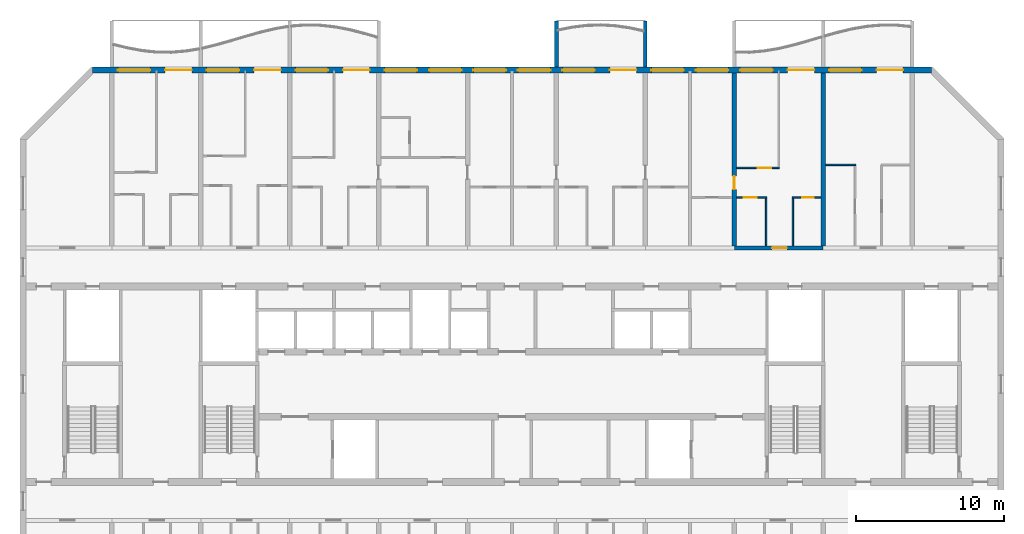
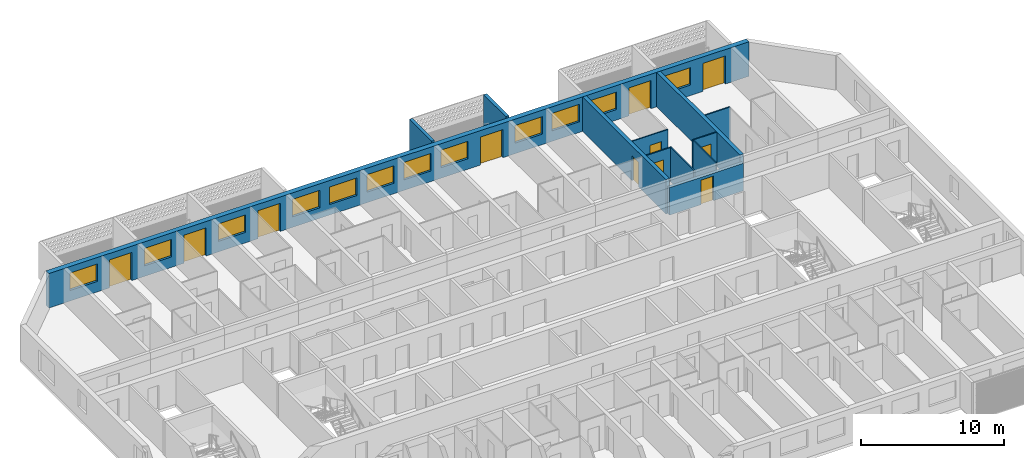
# One storey, part 10 of 26: 12 walls, 12 windows, 11 doors, 23 openings.
"""IFC4 building model written with IfcOpenShell, lengths in metres."""

from ifc_helpers import new_model, si_unit, direction, frame, frame_2d, origin, place, context, subcontext, project, spatial, polyline, rectangle, outline, extrude, source, transform, mapped, material, layer, layer_set, type_object, element, fill, save


model = new_model("IFC4")

# Units and contexts
model_context = context("Model", 3, precision=1e-05, world=origin(), true_north=direction((0.0, 1.0)))
body_context = subcontext(model_context, "Body", "Model", "MODEL_VIEW")
ifc_project = project(units=[si_unit("LENGTHUNIT", "METRE"), si_unit("AREAUNIT", "SQUARE_METRE"), si_unit("VOLUMEUNIT", "CUBIC_METRE"), si_unit("PLANEANGLEUNIT", "RADIAN"), si_unit("MASSUNIT", "GRAM", prefix="KILO")], contexts=[model_context])

# Site, building, storey
site_placement = place(None, origin())
site = spatial("IfcSite", under=ifc_project, at=site_placement, CompositionType="ELEMENT")
building_placement = place(site_placement, origin())
building = spatial("IfcBuilding", under=site, at=building_placement, Name="Poui Terraces", CompositionType="ELEMENT")
storey_placement = place(building_placement, frame((0.0, 0.0, 162.0)))
storey = spatial("IfcBuildingStorey", under=building, at=storey_placement, Name="L45", CompositionType="ELEMENT", Elevation=162.0)

# Wall, opening, door
ifc_material_1 = material(Name="Concrete 65 MPa", Category="concrete")
ifc_layer_1 = layer(ifc_material_1, 0.25)
ifc_layer_set_1 = layer_set([ifc_layer_1], Name="Concrete 65 MPa")
wall_type_1 = type_object("IfcWallType", Name="CORRIDOR WALL 250 65MPa", PredefinedType="SHEAR", material=ifc_layer_set_1)
wall_1_placement = place(storey_placement, frame((66.0, 30.39990234375, 0.0), z_axis=(0.0, 0.0, 1.0), x_axis=(1.0, 0.0, 0.0)))
wall_1 = element("IfcWall", 1, at=wall_1_placement, inside=storey, type_object=wall_type_1, Name="CORRIDOR WALL LINE E BAY 9", PredefinedType="SHEAR", context=body_context, shape_type="SweptSolid", body=[
    extrude(rectangle(XDim=6.0, YDim=0.25, at=frame_2d((3.0, 0.0))), origin(), (0.0, 0.0, 1.0), 2.35009765625),
])
opening_1_placement = place(wall_1_placement, frame((2.550048828125, 0.0, 0.0)))
opening_1 = element("IfcOpeningElement", 2, at=opening_1_placement, cuts=wall_1, Name="Opening FD30S", PredefinedType="OPENING", context=body_context, shape_type="SweptSolid", body=[
    extrude(rectangle(XDim=1.0, YDim=2.10009765625, at=frame_2d((0.5, 1.050048828125))), frame((0.0, 0.135009765625, 0.0), z_axis=(0.0, -1.0, 0.0), x_axis=(1.0, 0.0, 0.0)), (0.0, 0.0, 1.0), 0.27001953125),
])
ifc_material_2 = material(Name="Steel fire door", Category="steel")
door_type_1 = type_object("IfcDoorType", Name="FLAT ENTRANCE DOOR 1000 X 2100", OperationType="NOTDEFINED", PredefinedType="DOOR", material=ifc_material_2)
door_1_placement = place(opening_1_placement, origin())
door_1 = element("IfcDoor", 3, at=door_1_placement, inside=storey, type_object=door_type_1, Name="FLAT ENTRANCE DOOR 054", OperationType="SINGLE_SWING_RIGHT", OverallHeight=2.10009765625, OverallWidth=1.0, PredefinedType="DOOR", context=body_context, shape_type="SweptSolid", body=[
    extrude(rectangle(XDim=1.0, YDim=2.10009765625, at=frame_2d((0.5, 1.050048828125))), frame((0.0, 0.02490234375, 0.0), z_axis=(0.0, -1.0, 0.0), x_axis=(1.0, 0.0, 0.0)), (0.0, 0.0, 1.0), 0.050048828125),
])
fill(opening_1, door_1)

ifc_layer_2 = layer(ifc_material_1, 0.300048828125)
ifc_layer_set_2 = layer_set([ifc_layer_2], Name="Concrete 65 MPa")
wall_type_2 = type_object("IfcWallType", Name="CROSS WALL 300 65MPa", PredefinedType="SHEAR", material=ifc_layer_set_2)
wall_2_placement = place(storey_placement, frame((66.0, 30.52490234375, 0.0), z_axis=(0.0, 0.0, 1.0), x_axis=(0.0, 1.0, 0.0)))
wall_2 = element("IfcWall", 4, at=wall_2_placement, inside=storey, type_object=wall_type_2, Name="CROSS WALL LINE 12 NORTH", PredefinedType="SHEAR", context=body_context, shape_type="SweptSolid", body=[
    extrude(rectangle(XDim=11.675048828125, YDim=0.300048828125, at=frame_2d((5.83740234375, 0.0))), origin(), (0.0, 0.0, 1.0), 2.949951171875),
])
opening_2_placement = place(wall_2_placement, frame((3.824951171875, 0.0, 0.0)))
opening_2 = element("IfcOpeningElement", 5, at=opening_2_placement, cuts=wall_2, Name="Opening D90", PredefinedType="OPENING", context=body_context, shape_type="SweptSolid", body=[
    extrude(rectangle(XDim=0.89990234375, YDim=2.10009765625, at=frame_2d((0.449951171875, 1.050048828125))), frame((0.0, 0.16015625, 0.0), z_axis=(0.0, -1.0, 0.0), x_axis=(1.0, 0.0, 0.0)), (0.0, 0.0, 1.0), 0.320068359375),
])
ifc_material_3 = material(Name="Solid core timber door", Category="wood")
door_type_2 = type_object("IfcDoorType", Name="INTERNAL DOOR 900 X 2100", OperationType="NOTDEFINED", PredefinedType="DOOR", material=ifc_material_3)
door_2_placement = place(opening_2_placement, origin())
door_2 = element("IfcDoor", 6, at=door_2_placement, inside=storey, type_object=door_type_2, Name="INTERNAL DOOR 051", OperationType="SINGLE_SWING_LEFT", OverallHeight=2.10009765625, OverallWidth=0.89990234375, PredefinedType="DOOR", context=body_context, shape_type="SweptSolid", body=[
    extrude(rectangle(XDim=0.89990234375, YDim=2.10009765625, at=frame_2d((0.449951171875, 1.050048828125))), frame((0.0, 0.02490234375, 0.0), z_axis=(0.0, -1.0, 0.0), x_axis=(1.0, 0.0, 0.0)), (0.0, 0.0, 1.0), 0.050048828125),
])
fill(opening_2, door_2)

# Wall
wall_3_placement = place(storey_placement, frame((72.0, 30.52490234375, 0.0), z_axis=(0.0, 0.0, 1.0), x_axis=(0.0, 1.0, 0.0)))
element("IfcWall", 7, at=wall_3_placement, inside=storey, type_object=wall_type_2, Name="CROSS WALL LINE 13 NORTH", PredefinedType="SHEAR", context=body_context, shape_type="SweptSolid", body=[
    extrude(rectangle(XDim=11.675048828125, YDim=0.300048828125, at=frame_2d((5.83740234375, 0.0))), origin(), (0.0, 0.0, 1.0), 2.949951171875),
])

# Wall, openings, doors, windows
ifc_material_4 = material(Name="Precast concrete 40 MPa", Category="concrete")
ifc_layer_3 = layer(ifc_material_4, 0.39990234375)
ifc_layer_set_3 = layer_set([ifc_layer_3], Name="Precast concrete 40 MPa")
wall_type_3 = type_object("IfcWallType", Name="EXTERNAL WALL 400", PredefinedType="STANDARD", material=ifc_layer_set_3)
wall_4_placement = place(storey_placement, frame((79.317138671875, 42.39990234375, 0.0), z_axis=(0.0, 0.0, 1.0), x_axis=(-1.0, 0.0, 0.0)))
wall_4 = element("IfcWall", 8, at=wall_4_placement, inside=storey, type_object=wall_type_3, Name="EXTERNAL WALL N", PredefinedType="STANDARD", context=body_context, shape_type="SweptSolid", body=[
    extrude(rectangle(XDim=56.63427734375, YDim=0.39990234375, at=frame_2d((28.317138671875, 0.0))), origin(), (0.0, 0.0, 1.0), 2.949951171875),
])
opening_3_placement = place(wall_4_placement, frame((52.71728515625, 0.0, 0.89990234375)))
opening_3 = element("IfcOpeningElement", 9, at=opening_3_placement, cuts=wall_4, Name="Opening W1", PredefinedType="OPENING", context=body_context, shape_type="SweptSolid", body=[
    extrude(rectangle(XDim=2.199951171875, YDim=1.5, at=frame_2d((1.10009765625, 0.75))), frame((0.0, 0.2099609375, 0.0), z_axis=(0.0, -1.0, 0.0), x_axis=(1.0, 0.0, 0.0)), (0.0, 0.0, 1.0), 0.419921875),
])
opening_4_placement = place(wall_4_placement, frame((49.917236328125, 0.0, 0.0)))
opening_4 = element("IfcOpeningElement", 10, at=opening_4_placement, cuts=wall_4, Name="Opening BD1", PredefinedType="OPENING", context=body_context, shape_type="SweptSolid", body=[
    extrude(rectangle(XDim=1.800048828125, YDim=2.39990234375, at=frame_2d((0.89990234375, 1.199951171875))), frame((0.0, 0.2099609375, 0.0), z_axis=(0.0, -1.0, 0.0), x_axis=(1.0, 0.0, 0.0)), (0.0, 0.0, 1.0), 0.419921875),
])
opening_5_placement = place(wall_4_placement, frame((46.71728515625, 0.0, 0.89990234375)))
opening_5 = element("IfcOpeningElement", 11, at=opening_5_placement, cuts=wall_4, Name="Opening W1", PredefinedType="OPENING", context=body_context, shape_type="SweptSolid", body=[
    extrude(rectangle(XDim=2.199951171875, YDim=1.5, at=frame_2d((1.10009765625, 0.75))), frame((0.0, 0.2099609375, 0.0), z_axis=(0.0, -1.0, 0.0), x_axis=(1.0, 0.0, 0.0)), (0.0, 0.0, 1.0), 0.419921875),
])
opening_6_placement = place(wall_4_placement, frame((43.917236328125, 0.0, 0.0)))
opening_6 = element("IfcOpeningElement", 12, at=opening_6_placement, cuts=wall_4, Name="Opening BD1", PredefinedType="OPENING", context=body_context, shape_type="SweptSolid", body=[
    extrude(rectangle(XDim=1.800048828125, YDim=2.39990234375, at=frame_2d((0.89990234375, 1.199951171875))), frame((0.0, 0.2099609375, 0.0), z_axis=(0.0, -1.0, 0.0), x_axis=(1.0, 0.0, 0.0)), (0.0, 0.0, 1.0), 0.419921875),
])
opening_7_placement = place(wall_4_placement, frame((40.71728515625, 0.0, 0.89990234375)))
opening_7 = element("IfcOpeningElement", 13, at=opening_7_placement, cuts=wall_4, Name="Opening W1", PredefinedType="OPENING", context=body_context, shape_type="SweptSolid", body=[
    extrude(rectangle(XDim=2.199951171875, YDim=1.5, at=frame_2d((1.10009765625, 0.75))), frame((0.0, 0.2099609375, 0.0), z_axis=(0.0, -1.0, 0.0), x_axis=(1.0, 0.0, 0.0)), (0.0, 0.0, 1.0), 0.419921875),
])
opening_8_placement = place(wall_4_placement, frame((37.917236328125, 0.0, 0.0)))
opening_8 = element("IfcOpeningElement", 14, at=opening_8_placement, cuts=wall_4, Name="Opening BD1", PredefinedType="OPENING", context=body_context, shape_type="SweptSolid", body=[
    extrude(rectangle(XDim=1.800048828125, YDim=2.39990234375, at=frame_2d((0.89990234375, 1.199951171875))), frame((0.0, 0.2099609375, 0.0), z_axis=(0.0, -1.0, 0.0), x_axis=(1.0, 0.0, 0.0)), (0.0, 0.0, 1.0), 0.419921875),
])
opening_9_placement = place(wall_4_placement, frame((34.71728515625, 0.0, 0.89990234375)))
opening_9 = element("IfcOpeningElement", 15, at=opening_9_placement, cuts=wall_4, Name="Opening W1", PredefinedType="OPENING", context=body_context, shape_type="SweptSolid", body=[
    extrude(rectangle(XDim=2.199951171875, YDim=1.5, at=frame_2d((1.10009765625, 0.75))), frame((0.0, 0.2099609375, 0.0), z_axis=(0.0, -1.0, 0.0), x_axis=(1.0, 0.0, 0.0)), (0.0, 0.0, 1.0), 0.419921875),
])
opening_10_placement = place(wall_4_placement, frame((31.71728515625, 0.0, 0.89990234375)))
opening_10 = element("IfcOpeningElement", 16, at=opening_10_placement, cuts=wall_4, Name="Opening W1", PredefinedType="OPENING", context=body_context, shape_type="SweptSolid", body=[
    extrude(rectangle(XDim=2.199951171875, YDim=1.5, at=frame_2d((1.10009765625, 0.75))), frame((0.0, 0.2099609375, 0.0), z_axis=(0.0, -1.0, 0.0), x_axis=(1.0, 0.0, 0.0)), (0.0, 0.0, 1.0), 0.419921875),
])
opening_11_placement = place(wall_4_placement, frame((28.71728515625, 0.0, 0.89990234375)))
opening_11 = element("IfcOpeningElement", 17, at=opening_11_placement, cuts=wall_4, Name="Opening W1", PredefinedType="OPENING", context=body_context, shape_type="SweptSolid", body=[
    extrude(rectangle(XDim=2.199951171875, YDim=1.5, at=frame_2d((1.10009765625, 0.75))), frame((0.0, 0.2099609375, 0.0), z_axis=(0.0, -1.0, 0.0), x_axis=(1.0, 0.0, 0.0)), (0.0, 0.0, 1.0), 0.419921875),
])
opening_12_placement = place(wall_4_placement, frame((25.71728515625, 0.0, 0.89990234375)))
opening_12 = element("IfcOpeningElement", 18, at=opening_12_placement, cuts=wall_4, Name="Opening W1", PredefinedType="OPENING", context=body_context, shape_type="SweptSolid", body=[
    extrude(rectangle(XDim=2.199951171875, YDim=1.5, at=frame_2d((1.10009765625, 0.75))), frame((0.0, 0.2099609375, 0.0), z_axis=(0.0, -1.0, 0.0), x_axis=(1.0, 0.0, 0.0)), (0.0, 0.0, 1.0), 0.419921875),
])
opening_13_placement = place(wall_4_placement, frame((22.71728515625, 0.0, 0.89990234375)))
opening_13 = element("IfcOpeningElement", 19, at=opening_13_placement, cuts=wall_4, Name="Opening W1", PredefinedType="OPENING", context=body_context, shape_type="SweptSolid", body=[
    extrude(rectangle(XDim=2.199951171875, YDim=1.5, at=frame_2d((1.10009765625, 0.75))), frame((0.0, 0.2099609375, 0.0), z_axis=(0.0, -1.0, 0.0), x_axis=(1.0, 0.0, 0.0)), (0.0, 0.0, 1.0), 0.419921875),
])
opening_14_placement = place(wall_4_placement, frame((19.917236328125, 0.0, 0.0)))
opening_14 = element("IfcOpeningElement", 20, at=opening_14_placement, cuts=wall_4, Name="Opening BD1", PredefinedType="OPENING", context=body_context, shape_type="SweptSolid", body=[
    extrude(rectangle(XDim=1.800048828125, YDim=2.39990234375, at=frame_2d((0.89990234375, 1.199951171875))), frame((0.0, 0.2099609375, 0.0), z_axis=(0.0, -1.0, 0.0), x_axis=(1.0, 0.0, 0.0)), (0.0, 0.0, 1.0), 0.419921875),
])
opening_15_placement = place(wall_4_placement, frame((16.71728515625, 0.0, 0.89990234375)))
opening_15 = element("IfcOpeningElement", 21, at=opening_15_placement, cuts=wall_4, Name="Opening W1", PredefinedType="OPENING", context=body_context, shape_type="SweptSolid", body=[
    extrude(rectangle(XDim=2.199951171875, YDim=1.5, at=frame_2d((1.10009765625, 0.75))), frame((0.0, 0.2099609375, 0.0), z_axis=(0.0, -1.0, 0.0), x_axis=(1.0, 0.0, 0.0)), (0.0, 0.0, 1.0), 0.419921875),
])
opening_16_placement = place(wall_4_placement, frame((13.71728515625, 0.0, 0.89990234375)))
opening_16 = element("IfcOpeningElement", 22, at=opening_16_placement, cuts=wall_4, Name="Opening W1", PredefinedType="OPENING", context=body_context, shape_type="SweptSolid", body=[
    extrude(rectangle(XDim=2.199951171875, YDim=1.5, at=frame_2d((1.10009765625, 0.75))), frame((0.0, 0.2099609375, 0.0), z_axis=(0.0, -1.0, 0.0), x_axis=(1.0, 0.0, 0.0)), (0.0, 0.0, 1.0), 0.419921875),
])
opening_17_placement = place(wall_4_placement, frame((10.71728515625, 0.0, 0.89990234375)))
opening_17 = element("IfcOpeningElement", 23, at=opening_17_placement, cuts=wall_4, Name="Opening W1", PredefinedType="OPENING", context=body_context, shape_type="SweptSolid", body=[
    extrude(rectangle(XDim=2.199951171875, YDim=1.5, at=frame_2d((1.10009765625, 0.75))), frame((0.0, 0.2099609375, 0.0), z_axis=(0.0, -1.0, 0.0), x_axis=(1.0, 0.0, 0.0)), (0.0, 0.0, 1.0), 0.419921875),
])
opening_18_placement = place(wall_4_placement, frame((7.917236328125, 0.0, 0.0)))
opening_18 = element("IfcOpeningElement", 24, at=opening_18_placement, cuts=wall_4, Name="Opening BD1", PredefinedType="OPENING", context=body_context, shape_type="SweptSolid", body=[
    extrude(rectangle(XDim=1.800048828125, YDim=2.39990234375, at=frame_2d((0.89990234375, 1.199951171875))), frame((0.0, 0.2099609375, 0.0), z_axis=(0.0, -1.0, 0.0), x_axis=(1.0, 0.0, 0.0)), (0.0, 0.0, 1.0), 0.419921875),
])
opening_19_placement = place(wall_4_placement, frame((4.71728515625, 0.0, 0.89990234375)))
opening_19 = element("IfcOpeningElement", 25, at=opening_19_placement, cuts=wall_4, Name="Opening W1", PredefinedType="OPENING", context=body_context, shape_type="SweptSolid", body=[
    extrude(rectangle(XDim=2.199951171875, YDim=1.5, at=frame_2d((1.10009765625, 0.75))), frame((0.0, 0.2099609375, 0.0), z_axis=(0.0, -1.0, 0.0), x_axis=(1.0, 0.0, 0.0)), (0.0, 0.0, 1.0), 0.419921875),
])
opening_20_placement = place(wall_4_placement, frame((1.917236328125, 0.0, 0.0)))
opening_20 = element("IfcOpeningElement", 26, at=opening_20_placement, cuts=wall_4, Name="Opening BD1", PredefinedType="OPENING", context=body_context, shape_type="SweptSolid", body=[
    extrude(rectangle(XDim=1.800048828125, YDim=2.39990234375, at=frame_2d((0.89990234375, 1.199951171875))), frame((0.0, 0.2099609375, 0.0), z_axis=(0.0, -1.0, 0.0), x_axis=(1.0, 0.0, 0.0)), (0.0, 0.0, 1.0), 0.419921875),
])
ifc_material_5 = material(Name="Clear glass in aluminium frame", Category="aluminium")
door_type_3 = type_object("IfcDoorType", Name="BALCONY DOOR 1800X2400", OperationType="DOUBLE_DOOR_SLIDING", PredefinedType="DOOR", material=ifc_material_5)
door_3_placement = place(opening_4_placement, origin())
door_3 = element("IfcDoor", 27, at=door_3_placement, inside=storey, type_object=door_type_3, Name="BD1 BALCONY DOOR", OperationType="DOUBLE_DOOR_SLIDING", OverallHeight=2.39990234375, OverallWidth=1.800048828125, PredefinedType="DOOR", context=body_context, shape_type="SweptSolid", body=[
    extrude(rectangle(XDim=1.800048828125, YDim=2.39990234375, at=frame_2d((0.89990234375, 1.199951171875))), frame((0.0, 0.02490234375, 0.0), z_axis=(0.0, -1.0, 0.0), x_axis=(1.0, 0.0, 0.0)), (0.0, 0.0, 1.0), 0.050048828125),
])
fill(opening_4, door_3)
door_4_placement = place(opening_6_placement, origin())
door_4 = element("IfcDoor", 28, at=door_4_placement, inside=storey, type_object=door_type_3, Name="BD1 BALCONY DOOR", OperationType="DOUBLE_DOOR_SLIDING", OverallHeight=2.39990234375, OverallWidth=1.800048828125, PredefinedType="DOOR", context=body_context, shape_type="SweptSolid", body=[
    extrude(rectangle(XDim=1.800048828125, YDim=2.39990234375, at=frame_2d((0.89990234375, 1.199951171875))), frame((0.0, 0.02490234375, 0.0), z_axis=(0.0, -1.0, 0.0), x_axis=(1.0, 0.0, 0.0)), (0.0, 0.0, 1.0), 0.050048828125),
])
fill(opening_6, door_4)
door_5_placement = place(opening_8_placement, origin())
door_5 = element("IfcDoor", 29, at=door_5_placement, inside=storey, type_object=door_type_3, Name="BD1 BALCONY DOOR", OperationType="DOUBLE_DOOR_SLIDING", OverallHeight=2.39990234375, OverallWidth=1.800048828125, PredefinedType="DOOR", context=body_context, shape_type="SweptSolid", body=[
    extrude(rectangle(XDim=1.800048828125, YDim=2.39990234375, at=frame_2d((0.89990234375, 1.199951171875))), frame((0.0, 0.02490234375, 0.0), z_axis=(0.0, -1.0, 0.0), x_axis=(1.0, 0.0, 0.0)), (0.0, 0.0, 1.0), 0.050048828125),
])
fill(opening_8, door_5)
door_6_placement = place(opening_14_placement, origin())
door_6 = element("IfcDoor", 30, at=door_6_placement, inside=storey, type_object=door_type_3, Name="BD1 BALCONY DOOR", OperationType="DOUBLE_DOOR_SLIDING", OverallHeight=2.39990234375, OverallWidth=1.800048828125, PredefinedType="DOOR", context=body_context, shape_type="SweptSolid", body=[
    extrude(rectangle(XDim=1.800048828125, YDim=2.39990234375, at=frame_2d((0.89990234375, 1.199951171875))), frame((0.0, 0.02490234375, 0.0), z_axis=(0.0, -1.0, 0.0), x_axis=(1.0, 0.0, 0.0)), (0.0, 0.0, 1.0), 0.050048828125),
])
fill(opening_14, door_6)
door_7_placement = place(opening_18_placement, origin())
door_7 = element("IfcDoor", 31, at=door_7_placement, inside=storey, type_object=door_type_3, Name="BD1 BALCONY DOOR", OperationType="DOUBLE_DOOR_SLIDING", OverallHeight=2.39990234375, OverallWidth=1.800048828125, PredefinedType="DOOR", context=body_context, shape_type="SweptSolid", body=[
    extrude(rectangle(XDim=1.800048828125, YDim=2.39990234375, at=frame_2d((0.89990234375, 1.199951171875))), frame((0.0, 0.02490234375, 0.0), z_axis=(0.0, -1.0, 0.0), x_axis=(1.0, 0.0, 0.0)), (0.0, 0.0, 1.0), 0.050048828125),
])
fill(opening_18, door_7)
door_8_placement = place(opening_20_placement, origin())
door_8 = element("IfcDoor", 32, at=door_8_placement, inside=storey, type_object=door_type_3, Name="BD1 BALCONY DOOR", OperationType="DOUBLE_DOOR_SLIDING", OverallHeight=2.39990234375, OverallWidth=1.800048828125, PredefinedType="DOOR", context=body_context, shape_type="SweptSolid", body=[
    extrude(rectangle(XDim=1.800048828125, YDim=2.39990234375, at=frame_2d((0.89990234375, 1.199951171875))), frame((0.0, 0.02490234375, 0.0), z_axis=(0.0, -1.0, 0.0), x_axis=(1.0, 0.0, 0.0)), (0.0, 0.0, 1.0), 0.050048828125),
])
fill(opening_20, door_8)
window_type = type_object("IfcWindowType", Name="WINDOW 2200X1500", PartitioningType="DOUBLE_PANEL_HORIZONTAL", PredefinedType="WINDOW", material=ifc_material_5)
window_1_placement = place(opening_3_placement, origin())
window_1 = element("IfcWindow", 33, at=window_1_placement, inside=storey, type_object=window_type, Name="W1 WINDOW", OverallHeight=1.5, OverallWidth=2.199951171875, PartitioningType="DOUBLE_PANEL_HORIZONTAL", PredefinedType="WINDOW", context=body_context, shape_type="SweptSolid", body=[
    extrude(rectangle(XDim=2.199951171875, YDim=1.5, at=frame_2d((1.10009765625, 0.75))), frame((0.0, 0.030029296875, 0.0), z_axis=(0.0, -1.0, 0.0), x_axis=(1.0, 0.0, 0.0)), (0.0, 0.0, 1.0), 0.06005859375),
])
fill(opening_3, window_1)
window_2_placement = place(opening_5_placement, origin())
window_2 = element("IfcWindow", 34, at=window_2_placement, inside=storey, type_object=window_type, Name="W1 WINDOW", OverallHeight=1.5, OverallWidth=2.199951171875, PartitioningType="DOUBLE_PANEL_HORIZONTAL", PredefinedType="WINDOW", context=body_context, shape_type="SweptSolid", body=[
    extrude(rectangle(XDim=2.199951171875, YDim=1.5, at=frame_2d((1.10009765625, 0.75))), frame((0.0, 0.030029296875, 0.0), z_axis=(0.0, -1.0, 0.0), x_axis=(1.0, 0.0, 0.0)), (0.0, 0.0, 1.0), 0.06005859375),
])
fill(opening_5, window_2)
window_3_placement = place(opening_7_placement, origin())
window_3 = element("IfcWindow", 35, at=window_3_placement, inside=storey, type_object=window_type, Name="W1 WINDOW", OverallHeight=1.5, OverallWidth=2.199951171875, PartitioningType="DOUBLE_PANEL_HORIZONTAL", PredefinedType="WINDOW", context=body_context, shape_type="SweptSolid", body=[
    extrude(rectangle(XDim=2.199951171875, YDim=1.5, at=frame_2d((1.10009765625, 0.75))), frame((0.0, 0.030029296875, 0.0), z_axis=(0.0, -1.0, 0.0), x_axis=(1.0, 0.0, 0.0)), (0.0, 0.0, 1.0), 0.06005859375),
])
fill(opening_7, window_3)
window_4_placement = place(opening_9_placement, origin())
window_4 = element("IfcWindow", 36, at=window_4_placement, inside=storey, type_object=window_type, Name="W1 WINDOW", OverallHeight=1.5, OverallWidth=2.199951171875, PartitioningType="DOUBLE_PANEL_HORIZONTAL", PredefinedType="WINDOW", context=body_context, shape_type="SweptSolid", body=[
    extrude(rectangle(XDim=2.199951171875, YDim=1.5, at=frame_2d((1.10009765625, 0.75))), frame((0.0, 0.030029296875, 0.0), z_axis=(0.0, -1.0, 0.0), x_axis=(1.0, 0.0, 0.0)), (0.0, 0.0, 1.0), 0.06005859375),
])
fill(opening_9, window_4)
window_5_placement = place(opening_10_placement, origin())
window_5 = element("IfcWindow", 37, at=window_5_placement, inside=storey, type_object=window_type, Name="W1 WINDOW", OverallHeight=1.5, OverallWidth=2.199951171875, PartitioningType="DOUBLE_PANEL_HORIZONTAL", PredefinedType="WINDOW", context=body_context, shape_type="SweptSolid", body=[
    extrude(rectangle(XDim=2.199951171875, YDim=1.5, at=frame_2d((1.10009765625, 0.75))), frame((0.0, 0.030029296875, 0.0), z_axis=(0.0, -1.0, 0.0), x_axis=(1.0, 0.0, 0.0)), (0.0, 0.0, 1.0), 0.06005859375),
])
fill(opening_10, window_5)
window_6_placement = place(opening_11_placement, origin())
window_6 = element("IfcWindow", 38, at=window_6_placement, inside=storey, type_object=window_type, Name="W1 WINDOW", OverallHeight=1.5, OverallWidth=2.199951171875, PartitioningType="DOUBLE_PANEL_HORIZONTAL", PredefinedType="WINDOW", context=body_context, shape_type="SweptSolid", body=[
    extrude(rectangle(XDim=2.199951171875, YDim=1.5, at=frame_2d((1.10009765625, 0.75))), frame((0.0, 0.030029296875, 0.0), z_axis=(0.0, -1.0, 0.0), x_axis=(1.0, 0.0, 0.0)), (0.0, 0.0, 1.0), 0.06005859375),
])
fill(opening_11, window_6)
window_7_placement = place(opening_12_placement, origin())
window_7 = element("IfcWindow", 39, at=window_7_placement, inside=storey, type_object=window_type, Name="W1 WINDOW", OverallHeight=1.5, OverallWidth=2.199951171875, PartitioningType="DOUBLE_PANEL_HORIZONTAL", PredefinedType="WINDOW", context=body_context, shape_type="SweptSolid", body=[
    extrude(rectangle(XDim=2.199951171875, YDim=1.5, at=frame_2d((1.10009765625, 0.75))), frame((0.0, 0.030029296875, 0.0), z_axis=(0.0, -1.0, 0.0), x_axis=(1.0, 0.0, 0.0)), (0.0, 0.0, 1.0), 0.06005859375),
])
fill(opening_12, window_7)
window_8_placement = place(opening_13_placement, origin())
window_8 = element("IfcWindow", 40, at=window_8_placement, inside=storey, type_object=window_type, Name="W1 WINDOW", OverallHeight=1.5, OverallWidth=2.199951171875, PartitioningType="DOUBLE_PANEL_HORIZONTAL", PredefinedType="WINDOW", context=body_context, shape_type="SweptSolid", body=[
    extrude(rectangle(XDim=2.199951171875, YDim=1.5, at=frame_2d((1.10009765625, 0.75))), frame((0.0, 0.030029296875, 0.0), z_axis=(0.0, -1.0, 0.0), x_axis=(1.0, 0.0, 0.0)), (0.0, 0.0, 1.0), 0.06005859375),
])
fill(opening_13, window_8)
window_9_placement = place(opening_15_placement, origin())
window_9 = element("IfcWindow", 41, at=window_9_placement, inside=storey, type_object=window_type, Name="W1 WINDOW", OverallHeight=1.5, OverallWidth=2.199951171875, PartitioningType="DOUBLE_PANEL_HORIZONTAL", PredefinedType="WINDOW", context=body_context, shape_type="SweptSolid", body=[
    extrude(rectangle(XDim=2.199951171875, YDim=1.5, at=frame_2d((1.10009765625, 0.75))), frame((0.0, 0.030029296875, 0.0), z_axis=(0.0, -1.0, 0.0), x_axis=(1.0, 0.0, 0.0)), (0.0, 0.0, 1.0), 0.06005859375),
])
fill(opening_15, window_9)
window_10_placement = place(opening_16_placement, origin())
window_10 = element("IfcWindow", 42, at=window_10_placement, inside=storey, type_object=window_type, Name="W1 WINDOW", OverallHeight=1.5, OverallWidth=2.199951171875, PartitioningType="DOUBLE_PANEL_HORIZONTAL", PredefinedType="WINDOW", context=body_context, shape_type="SweptSolid", body=[
    extrude(rectangle(XDim=2.199951171875, YDim=1.5, at=frame_2d((1.10009765625, 0.75))), frame((0.0, 0.030029296875, 0.0), z_axis=(0.0, -1.0, 0.0), x_axis=(1.0, 0.0, 0.0)), (0.0, 0.0, 1.0), 0.06005859375),
])
fill(opening_16, window_10)
window_11_placement = place(opening_17_placement, origin())
window_11 = element("IfcWindow", 43, at=window_11_placement, inside=storey, type_object=window_type, Name="W1 WINDOW", OverallHeight=1.5, OverallWidth=2.199951171875, PartitioningType="DOUBLE_PANEL_HORIZONTAL", PredefinedType="WINDOW", context=body_context, shape_type="SweptSolid", body=[
    extrude(rectangle(XDim=2.199951171875, YDim=1.5, at=frame_2d((1.10009765625, 0.75))), frame((0.0, 0.030029296875, 0.0), z_axis=(0.0, -1.0, 0.0), x_axis=(1.0, 0.0, 0.0)), (0.0, 0.0, 1.0), 0.06005859375),
])
fill(opening_17, window_11)
window_12_placement = place(opening_19_placement, origin())
window_12 = element("IfcWindow", 44, at=window_12_placement, inside=storey, type_object=window_type, Name="W1 WINDOW", OverallHeight=1.5, OverallWidth=2.199951171875, PartitioningType="DOUBLE_PANEL_HORIZONTAL", PredefinedType="WINDOW", context=body_context, shape_type="SweptSolid", body=[
    extrude(rectangle(XDim=2.199951171875, YDim=1.5, at=frame_2d((1.10009765625, 0.75))), frame((0.0, 0.030029296875, 0.0), z_axis=(0.0, -1.0, 0.0), x_axis=(1.0, 0.0, 0.0)), (0.0, 0.0, 1.0), 0.06005859375),
])
fill(opening_19, window_12)

# Wall, opening, door
ifc_material_6 = material(Name="Plasterboard partition")
ifc_layer_4 = layer(ifc_material_6, 0.10009765625)
ifc_layer_set_4 = layer_set([ifc_layer_4], Name="Plasterboard partition")
wall_type_4 = type_object("IfcWallType", Name="FLAT PARTITION 100", PredefinedType="PARTITIONING", material=ifc_layer_set_4)
wall_5_placement = place(storey_placement, frame((66.159912109375, 33.800048828125, 0.0), z_axis=(0.0, 0.0, 1.0), x_axis=(1.0, 0.0, 0.0)))
wall_5 = element("IfcWall", 45, at=wall_5_placement, inside=storey, type_object=wall_type_4, Name="FLAT PARTITION 100", PredefinedType="PARTITIONING", context=body_context, shape_type="SweptSolid", body=[
    extrude(rectangle(XDim=2.0400390625, YDim=0.10009765625, at=frame_2d((1.02001953125, 0.0))), origin(), (0.0, 0.0, 1.0), 2.949951171875),
])
opening_21_placement = place(wall_5_placement, frame((0.465087890625, 0.0, 0.0)))
opening_21 = element("IfcOpeningElement", 46, at=opening_21_placement, cuts=wall_5, Name="Opening D90", PredefinedType="OPENING", context=body_context, shape_type="SweptSolid", body=[
    extrude(rectangle(XDim=0.89990234375, YDim=2.10009765625, at=frame_2d((0.449951171875, 1.050048828125))), frame((0.0, 0.06005859375, 0.0), z_axis=(0.0, -1.0, 0.0), x_axis=(1.0, 0.0, 0.0)), (0.0, 0.0, 1.0), 0.1201171875),
])
door_9_placement = place(opening_21_placement, frame((0.89990234375, 0.0, 0.0), z_axis=(0.0, 0.0, 1.0), x_axis=(-1.0, 0.0, 0.0)))
door_9 = element("IfcDoor", 47, at=door_9_placement, inside=storey, type_object=door_type_2, Name="INTERNAL DOOR 052", OperationType="SINGLE_SWING_LEFT", OverallHeight=2.10009765625, OverallWidth=0.89990234375, PredefinedType="DOOR", context=body_context, shape_type="SweptSolid", body=[
    extrude(rectangle(XDim=0.89990234375, YDim=2.10009765625, at=frame_2d((0.449951171875, 1.050048828125))), frame((0.0, 0.02490234375, 0.0), z_axis=(0.0, -1.0, 0.0), x_axis=(1.0, 0.0, 0.0)), (0.0, 0.0, 1.0), 0.050048828125),
])
fill(opening_21, door_9)

wall_6_placement = place(storey_placement, frame((69.89990234375, 33.800048828125, 0.0), z_axis=(0.0, 0.0, 1.0), x_axis=(1.0, 0.0, 0.0)))
wall_6 = element("IfcWall", 48, at=wall_6_placement, inside=storey, type_object=wall_type_4, Name="FLAT PARTITION 100", PredefinedType="PARTITIONING", context=body_context, shape_type="SweptSolid", body=[
    extrude(rectangle(XDim=1.940185546875, YDim=0.10009765625, at=frame_2d((0.97021484375, 0.0))), origin(), (0.0, 0.0, 1.0), 2.949951171875),
])
opening_22_placement = place(wall_6_placement, frame((0.675048828125, 0.0, 0.0)))
opening_22 = element("IfcOpeningElement", 49, at=opening_22_placement, cuts=wall_6, Name="Opening D80", PredefinedType="OPENING", context=body_context, shape_type="SweptSolid", body=[
    extrude(rectangle(XDim=0.800048828125, YDim=2.10009765625, at=frame_2d((0.39990234375, 1.050048828125))), frame((0.0, 0.06005859375, 0.0), z_axis=(0.0, -1.0, 0.0), x_axis=(1.0, 0.0, 0.0)), (0.0, 0.0, 1.0), 0.1201171875),
])
door_type_4 = type_object("IfcDoorType", Name="BATHROOM, LAUNDRY AND STORE DOOR 800 X 2100", OperationType="NOTDEFINED", PredefinedType="DOOR", material=ifc_material_3)
door_10_placement = place(opening_22_placement, frame((0.800048828125, 0.0, 0.0), z_axis=(0.0, 0.0, 1.0), x_axis=(-1.0, 0.0, 0.0)))
door_10 = element("IfcDoor", 50, at=door_10_placement, inside=storey, type_object=door_type_4, Name="BATHROOM, LAUNDRY AND STORE DOOR 055", OperationType="SINGLE_SWING_RIGHT", OverallHeight=2.10009765625, OverallWidth=0.800048828125, PredefinedType="DOOR", context=body_context, shape_type="SweptSolid", body=[
    extrude(rectangle(XDim=0.800048828125, YDim=2.10009765625, at=frame_2d((0.39990234375, 1.050048828125))), frame((0.0, 0.02490234375, 0.0), z_axis=(0.0, -1.0, 0.0), x_axis=(1.0, 0.0, 0.0)), (0.0, 0.0, 1.0), 0.050048828125),
])
fill(opening_22, door_10)

wall_7_placement = place(storey_placement, frame((66.159912109375, 35.800048828125, 0.0), z_axis=(0.0, 0.0, 1.0), x_axis=(1.0, 0.0, 0.0)))
wall_7 = element("IfcWall", 51, at=wall_7_placement, inside=storey, type_object=wall_type_4, Name="FLAT PARTITION 100", PredefinedType="PARTITIONING", context=body_context, shape_type="SweptSolid", body=[
    extrude(rectangle(XDim=2.89013671875, YDim=0.10009765625, at=frame_2d((1.445068359375, 0.0))), origin(), (0.0, 0.0, 1.0), 2.949951171875),
])
opening_23_placement = place(wall_7_placement, frame((1.43994140625, 0.0, 0.0)))
opening_23 = element("IfcOpeningElement", 52, at=opening_23_placement, cuts=wall_7, Name="Opening D90", PredefinedType="OPENING", context=body_context, shape_type="SweptSolid", body=[
    extrude(rectangle(XDim=0.89990234375, YDim=2.10009765625, at=frame_2d((0.449951171875, 1.050048828125))), frame((0.0, 0.06005859375, 0.0), z_axis=(0.0, -1.0, 0.0), x_axis=(1.0, 0.0, 0.0)), (0.0, 0.0, 1.0), 0.1201171875),
])
door_11_placement = place(opening_23_placement, frame((0.89990234375, 0.0, 0.0), z_axis=(0.0, 0.0, 1.0), x_axis=(-1.0, 0.0, 0.0)))
door_11 = element("IfcDoor", 53, at=door_11_placement, inside=storey, type_object=door_type_2, Name="INTERNAL DOOR 053", OperationType="SINGLE_SWING_RIGHT", OverallHeight=2.10009765625, OverallWidth=0.89990234375, PredefinedType="DOOR", context=body_context, shape_type="SweptSolid", body=[
    extrude(rectangle(XDim=0.89990234375, YDim=2.10009765625, at=frame_2d((0.449951171875, 1.050048828125))), frame((0.0, 0.02490234375, 0.0), z_axis=(0.0, -1.0, 0.0), x_axis=(1.0, 0.0, 0.0)), (0.0, 0.0, 1.0), 0.050048828125),
])
fill(opening_23, door_11)

# Walls
wall_8_placement = place(storey_placement, frame((72.159912109375, 36.0, 0.0), z_axis=(0.0, 0.0, 1.0), x_axis=(1.0, 0.0, 0.0)))
element("IfcWall", 54, at=wall_8_placement, inside=storey, type_object=wall_type_4, Name="FLAT PARTITION 100", PredefinedType="PARTITIONING", context=body_context, shape_type="SweptSolid", body=[
    extrude(rectangle(XDim=2.0400390625, YDim=0.10009765625, at=frame_2d((1.02001953125, 0.0))), origin(), (0.0, 0.0, 1.0), 2.949951171875),
])
for number, where, z_axis, x_axis, name in (
    (55, (68.14990234375, 30.534912109375, 0.0), (0.0, 0.0, 1.0), (0.0, 1.0, 0.0), "FLAT PARTITION 100"),
    (56, (69.949951171875, 30.534912109375, 0.0), (0.0, 0.0, 1.0), (0.0, 1.0, 0.0), "FLAT PARTITION 100"),
):
    element("IfcWall", number, at=place(storey_placement, frame(where, z_axis=z_axis, x_axis=x_axis)), inside=storey, type_object=wall_type_4, Name=name, PredefinedType="PARTITIONING", context=body_context, shape_type="SweptSolid", body=[
        extrude(rectangle(XDim=3.215087890625, YDim=0.10009765625, at=frame_2d((1.607421875, 0.0))), origin(), (0.0, 0.0, 1.0), 2.949951171875),
    ])
ifc_layer_5 = layer(ifc_material_4, 0.25)
ifc_layer_set_5 = layer_set([ifc_layer_5], Name="Precast concrete 40 MPa")
wall_type_5 = type_object("IfcWallType", Name="BALCONY FIN 250", PredefinedType="STANDARD", material=ifc_layer_set_5)
shared_shape = source(origin(), body_context, "Body", "SweptSolid", [
    extrude(outline(polyline([(0.0, 0.0), (0.25, 0.0), (0.25, 3.099853515625), (0.0, 3.099853515625), (0.0, 0.0)])), origin(), (0.0, 0.0, 1.0), 3.10009765625),
])
for number, where, name in (
    (57, (53.875, 42.60009765625, 0.0), "BALCONY FIN"),
    (58, (59.875, 42.60009765625, 0.0), "BALCONY FIN"),
):
    element("IfcWall", number, at=place(storey_placement, frame(where)), inside=storey, type_object=wall_type_5, Name=name, PredefinedType="STANDARD", context=body_context, shape_type="MappedRepresentation", body=[
        mapped(shared_shape, transform((0.0, 0.0, 0.0))),
    ])

save(model, "model.ifc")
